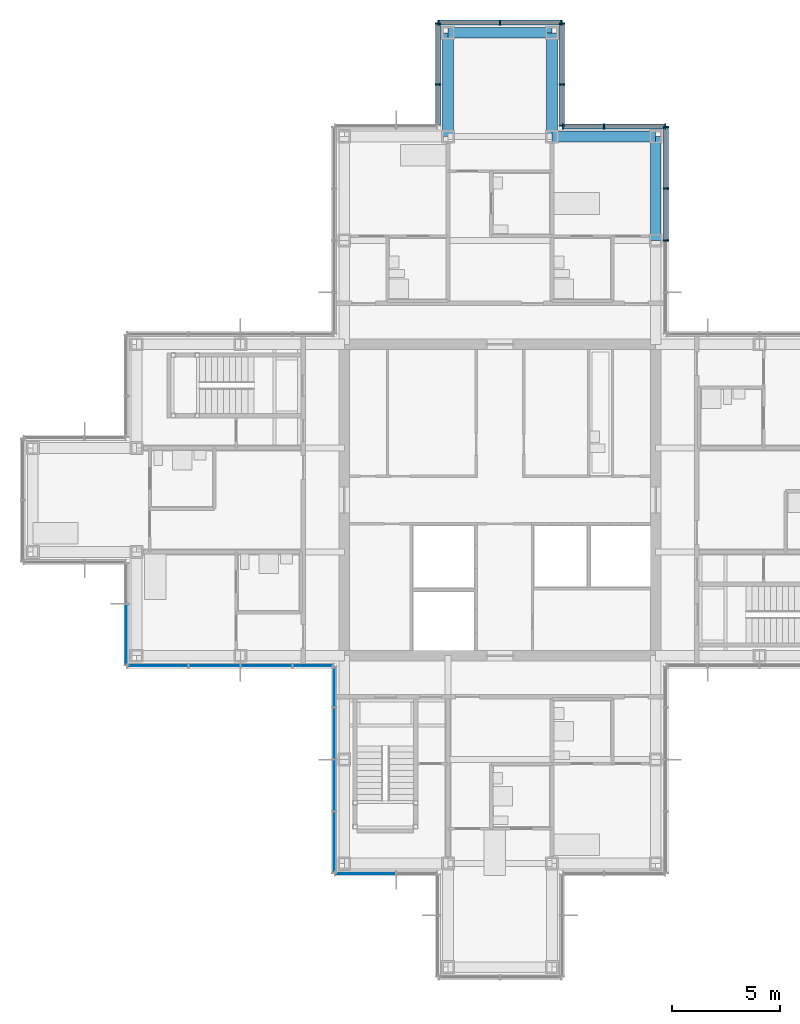
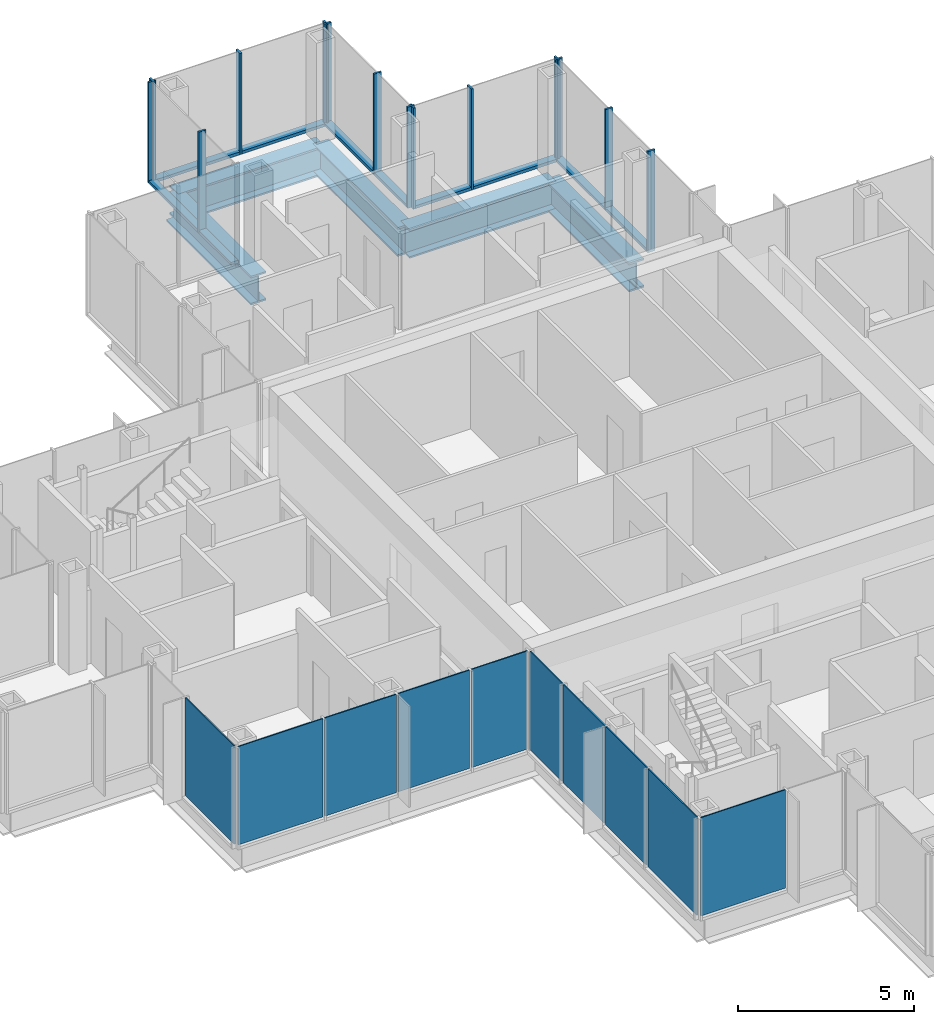
# One storey, part 9 of 17: 24 members, 10 plates, 5 beams, 9 elements without a shape of their own.
"""IFC4 building model written with IfcOpenShell, lengths in metres."""

from ifc_helpers import new_model, si_unit, direction, frame, origin, origin_2d, place, context, subcontext, project, spatial, rectangle, i_section, extrude, material, layer, layer_set, material_profile, profile_set, type_object, element, aggregate, save


model = new_model("IFC4")

# Units and contexts
model_context = context("Model", 3, precision=1e-05, world=origin(), true_north=direction((0.0, 1.0)))
body_context = subcontext(model_context, "Body", "Model", "MODEL_VIEW")
ifc_project = project(units=[si_unit("LENGTHUNIT", "METRE"), si_unit("AREAUNIT", "SQUARE_METRE"), si_unit("VOLUMEUNIT", "CUBIC_METRE"), si_unit("PLANEANGLEUNIT", "RADIAN"), si_unit("MASSUNIT", "GRAM", prefix="KILO")], contexts=[model_context])

# Site, building, storey
site_placement = place(None, origin())
site = spatial("IfcSite", under=ifc_project, at=site_placement, CompositionType="ELEMENT")
building_placement = place(site_placement, origin())
building = spatial("IfcBuilding", under=site, at=building_placement, Name="Kvirike Care Tower", CompositionType="ELEMENT")
storey_placement = place(building_placement, frame((0.0, 0.0, 183.0)))
storey = spatial("IfcBuildingStorey", under=building, at=storey_placement, Name="L50", CompositionType="ELEMENT", Elevation=183.0)

# Curtain wall, members
ifc_material_1 = material(Name="Anodised aluminium stick system", Category="aluminium")
curtain_wall_type = type_object("IfcCurtainWallType", Name="CW-C STICK CURTAIN WALL", PredefinedType="NOTDEFINED", material=ifc_material_1)
curtain_wall_1_placement = place(storey_placement, origin())
curtain_wall_1 = element("IfcCurtainWall", 1, at=curtain_wall_1_placement, inside=storey, type_object=curtain_wall_type, Name="Curtain wall L50 face 8", PredefinedType="NOTDEFINED")
ifc_material_2 = material(Name="Bronze anodised aluminium mullion", Category="aluminium")
ifc_material_profile_1 = material_profile(ifc_material_2, rectangle(XDim=0.06494140625, YDim=0.239990234375, at=origin_2d()), Name="CW-C MULLION 65x240")
ifc_profile_set_1 = profile_set([ifc_material_profile_1], Name="Bronze anodised aluminium mullion")
member_type_1 = type_object("IfcMemberType", Name="CW-C MULLION 65x240", PredefinedType="MULLION", material=ifc_profile_set_1)
member_1_placement = place(storey_placement, frame((29.27001953125, 48.0, 0.0), z_axis=(0.0, 0.0, 1.0), x_axis=(0.0, 1.0, 0.0)))
member_1 = element("IfcMember", 2, at=member_1_placement, type_object=member_type_1, Name="CW-C mullion L50 face 8.3", PredefinedType="MULLION", context=body_context, shape_type="SweptSolid", body=[
    extrude(rectangle(XDim=0.06494140625, YDim=0.239990234375, at=origin_2d()), origin(), (0.0, 0.0, 1.0), 3.5),
])
member_2_placement = place(storey_placement, frame((29.27001953125, 50.39990234375, 0.0), z_axis=(0.0, 0.0, 1.0), x_axis=(0.0, 1.0, 0.0)))
member_2 = element("IfcMember", 3, at=member_2_placement, type_object=member_type_1, Name="CW-C mullion L50 face 8.4", PredefinedType="MULLION", context=body_context, shape_type="SweptSolid", body=[
    extrude(rectangle(XDim=0.06494140625, YDim=0.239990234375, at=origin_2d()), origin(), (0.0, 0.0, 1.0), 3.5),
])
member_3_placement = place(storey_placement, frame((29.27001953125, 53.237548828125, 0.0), z_axis=(0.0, 0.0, 1.0), x_axis=(0.0, 1.0, 0.0)))
member_3 = element("IfcMember", 4, at=member_3_placement, type_object=member_type_1, Name="CW-C mullion L50 face 8.5", PredefinedType="MULLION", context=body_context, shape_type="SweptSolid", body=[
    extrude(rectangle(XDim=0.06494140625, YDim=0.239990234375, at=origin_2d()), origin(), (0.0, 0.0, 1.0), 3.5),
])

curtain_wall_2_placement = place(storey_placement, origin())
curtain_wall_2 = element("IfcCurtainWall", 5, at=curtain_wall_2_placement, inside=storey, type_object=curtain_wall_type, Name="Curtain wall L50 face 9", PredefinedType="NOTDEFINED")
member_4_placement = place(storey_placement, frame((29.237548828125, 53.27001953125, 0.0), z_axis=(0.0, 0.0, 1.0), x_axis=(-1.0, 0.0, 0.0)))
member_4 = element("IfcMember", 6, at=member_4_placement, type_object=member_type_1, Name="CW-C mullion L50 face 9.1", PredefinedType="MULLION", context=body_context, shape_type="SweptSolid", body=[
    extrude(rectangle(XDim=0.06494140625, YDim=0.239990234375, at=origin_2d()), origin(), (0.0, 0.0, 1.0), 3.5),
])
member_5_placement = place(storey_placement, frame((26.39990234375, 53.27001953125, 0.0), z_axis=(0.0, 0.0, 1.0), x_axis=(-1.0, 0.0, 0.0)))
member_5 = element("IfcMember", 7, at=member_5_placement, type_object=member_type_1, Name="CW-C mullion L50 face 9.2", PredefinedType="MULLION", context=body_context, shape_type="SweptSolid", body=[
    extrude(rectangle(XDim=0.06494140625, YDim=0.239990234375, at=origin_2d()), origin(), (0.0, 0.0, 1.0), 3.5),
])
member_6_placement = place(storey_placement, frame((24.50244140625, 53.27001953125, 0.0), z_axis=(0.0, 0.0, 1.0), x_axis=(-1.0, 0.0, 0.0)))
member_6 = element("IfcMember", 8, at=member_6_placement, type_object=member_type_1, Name="CW-C mullion L50 face 9.3", PredefinedType="MULLION", context=body_context, shape_type="SweptSolid", body=[
    extrude(rectangle(XDim=0.06494140625, YDim=0.239990234375, at=origin_2d()), origin(), (0.0, 0.0, 1.0), 3.5),
])

curtain_wall_3_placement = place(storey_placement, origin())
curtain_wall_3 = element("IfcCurtainWall", 9, at=curtain_wall_3_placement, inside=storey, type_object=curtain_wall_type, Name="Curtain wall L50 face 10", PredefinedType="NOTDEFINED")
member_7_placement = place(storey_placement, frame((24.469970703125, 53.302490234375, 0.0), z_axis=(0.0, 0.0, 1.0), x_axis=(0.0, 1.0, 0.0)))
member_7 = element("IfcMember", 10, at=member_7_placement, type_object=member_type_1, Name="CW-C mullion L50 face 10.1", PredefinedType="MULLION", context=body_context, shape_type="SweptSolid", body=[
    extrude(rectangle(XDim=0.06494140625, YDim=0.239990234375, at=origin_2d()), origin(), (0.0, 0.0, 1.0), 3.5),
])
member_8_placement = place(storey_placement, frame((24.469970703125, 55.199951171875, 0.0), z_axis=(0.0, 0.0, 1.0), x_axis=(0.0, 1.0, 0.0)))
member_8 = element("IfcMember", 11, at=member_8_placement, type_object=member_type_1, Name="CW-C mullion L50 face 10.2", PredefinedType="MULLION", context=body_context, shape_type="SweptSolid", body=[
    extrude(rectangle(XDim=0.06494140625, YDim=0.239990234375, at=origin_2d()), origin(), (0.0, 0.0, 1.0), 3.5),
])
member_9_placement = place(storey_placement, frame((24.469970703125, 58.03759765625, 0.0), z_axis=(0.0, 0.0, 1.0), x_axis=(0.0, 1.0, 0.0)))
member_9 = element("IfcMember", 12, at=member_9_placement, type_object=member_type_1, Name="CW-C mullion L50 face 10.3", PredefinedType="MULLION", context=body_context, shape_type="SweptSolid", body=[
    extrude(rectangle(XDim=0.06494140625, YDim=0.239990234375, at=origin_2d()), origin(), (0.0, 0.0, 1.0), 3.5),
])

curtain_wall_4_placement = place(storey_placement, origin())
curtain_wall_4 = element("IfcCurtainWall", 13, at=curtain_wall_4_placement, inside=storey, type_object=curtain_wall_type, Name="Curtain wall L50 face 11", PredefinedType="NOTDEFINED")
member_10_placement = place(storey_placement, frame((24.4375, 58.070068359375, 0.0), z_axis=(0.0, 0.0, 1.0), x_axis=(-1.0, 0.0, 0.0)))
member_10 = element("IfcMember", 14, at=member_10_placement, type_object=member_type_1, Name="CW-C mullion L50 face 11.1", PredefinedType="MULLION", context=body_context, shape_type="SweptSolid", body=[
    extrude(rectangle(XDim=0.06494140625, YDim=0.239990234375, at=origin_2d()), origin(), (0.0, 0.0, 1.0), 3.5),
])
member_11_placement = place(storey_placement, frame((21.60009765625, 58.070068359375, 0.0), z_axis=(0.0, 0.0, 1.0), x_axis=(-1.0, 0.0, 0.0)))
member_11 = element("IfcMember", 15, at=member_11_placement, type_object=member_type_1, Name="CW-C mullion L50 face 11.2", PredefinedType="MULLION", context=body_context, shape_type="SweptSolid", body=[
    extrude(rectangle(XDim=0.06494140625, YDim=0.239990234375, at=origin_2d()), origin(), (0.0, 0.0, 1.0), 3.5),
])
member_12_placement = place(storey_placement, frame((18.762451171875, 58.070068359375, 0.0), z_axis=(0.0, 0.0, 1.0), x_axis=(-1.0, 0.0, 0.0)))
member_12 = element("IfcMember", 16, at=member_12_placement, type_object=member_type_1, Name="CW-C mullion L50 face 11.3", PredefinedType="MULLION", context=body_context, shape_type="SweptSolid", body=[
    extrude(rectangle(XDim=0.06494140625, YDim=0.239990234375, at=origin_2d()), origin(), (0.0, 0.0, 1.0), 3.5),
])

curtain_wall_5_placement = place(storey_placement, origin())
curtain_wall_5 = element("IfcCurtainWall", 17, at=curtain_wall_5_placement, inside=storey, type_object=curtain_wall_type, Name="Curtain wall L50 face 12", PredefinedType="NOTDEFINED")
member_13_placement = place(storey_placement, frame((18.72998046875, 58.03759765625, 0.0), z_axis=(0.0, 0.0, 1.0), x_axis=(0.0, -1.0, 0.0)))
member_13 = element("IfcMember", 18, at=member_13_placement, type_object=member_type_1, Name="CW-C mullion L50 face 12.1", PredefinedType="MULLION", context=body_context, shape_type="SweptSolid", body=[
    extrude(rectangle(XDim=0.06494140625, YDim=0.239990234375, at=origin_2d()), origin(), (0.0, 0.0, 1.0), 3.5),
])
member_14_placement = place(storey_placement, frame((18.72998046875, 55.199951171875, 0.0), z_axis=(0.0, 0.0, 1.0), x_axis=(0.0, -1.0, 0.0)))
member_14 = element("IfcMember", 19, at=member_14_placement, type_object=member_type_1, Name="CW-C mullion L50 face 12.2", PredefinedType="MULLION", context=body_context, shape_type="SweptSolid", body=[
    extrude(rectangle(XDim=0.06494140625, YDim=0.239990234375, at=origin_2d()), origin(), (0.0, 0.0, 1.0), 3.5),
])

# Member
ifc_material_3 = material(Name="Bronze anodised aluminium transom", Category="aluminium")
ifc_material_profile_2 = material_profile(ifc_material_3, rectangle(XDim=0.239990234375, YDim=0.10009765625, at=origin_2d()), Name="CW-C TRANSOM 240x100")
ifc_profile_set_2 = profile_set([ifc_material_profile_2], Name="Bronze anodised aluminium transom")
member_type_2 = type_object("IfcMemberType", Name="CW-C TRANSOM 240x100", PredefinedType="USERDEFINED", material=ifc_profile_set_2)
member_15_placement = place(storey_placement, frame((29.27001953125, 48.032470703125, 0.050048828125), z_axis=(0.0, 1.0, 0.0), x_axis=(-1.0, 0.0, 0.0)))
member_15 = element("IfcMember", 20, at=member_15_placement, type_object=member_type_2, Name="CW-C sill transom L50 face 8.3", ObjectType="TRANSOM", PredefinedType="USERDEFINED", context=body_context, shape_type="SweptSolid", body=[
    extrude(rectangle(XDim=0.239990234375, YDim=0.10009765625, at=origin_2d()), origin(), (0.0, 0.0, 1.0), 2.3349609375),
])

member_16_placement = place(storey_placement, frame((29.27001953125, 50.4326171875, 0.050048828125), z_axis=(0.0, 1.0, 0.0), x_axis=(-1.0, 0.0, 0.0)))
member_16 = element("IfcMember", 21, at=member_16_placement, type_object=member_type_2, Name="CW-C sill transom L50 face 8.4", ObjectType="TRANSOM", PredefinedType="USERDEFINED", context=body_context, shape_type="SweptSolid", body=[
    extrude(rectangle(XDim=0.239990234375, YDim=0.10009765625, at=origin_2d()), origin(), (0.0, 0.0, 1.0), 2.7724609375),
])

aggregate(curtain_wall_1, [member_1, member_2, member_3, member_15, member_16])

member_17_placement = place(storey_placement, frame((29.205078125, 53.27001953125, 0.050048828125), z_axis=(-1.0, 0.0, 0.0), x_axis=(0.0, -1.0, 0.0)))
member_17 = element("IfcMember", 22, at=member_17_placement, type_object=member_type_2, Name="CW-C sill transom L50 face 9.1", ObjectType="TRANSOM", PredefinedType="USERDEFINED", context=body_context, shape_type="SweptSolid", body=[
    extrude(rectangle(XDim=0.239990234375, YDim=0.10009765625, at=origin_2d()), origin(), (0.0, 0.0, 1.0), 2.7724609375),
])

member_18_placement = place(storey_placement, frame((26.367431640625, 53.27001953125, 0.050048828125), z_axis=(-1.0, 0.0, 0.0), x_axis=(0.0, -1.0, 0.0)))
member_18 = element("IfcMember", 23, at=member_18_placement, type_object=member_type_2, Name="CW-C sill transom L50 face 9.2", ObjectType="TRANSOM", PredefinedType="USERDEFINED", context=body_context, shape_type="SweptSolid", body=[
    extrude(rectangle(XDim=0.239990234375, YDim=0.10009765625, at=origin_2d()), origin(), (0.0, 0.0, 1.0), 1.83251953125),
])

aggregate(curtain_wall_2, [member_4, member_5, member_6, member_17, member_18])

member_19_placement = place(storey_placement, frame((24.469970703125, 53.3349609375, 0.050048828125), z_axis=(0.0, 1.0, 0.0), x_axis=(-1.0, 0.0, 0.0)))
member_19 = element("IfcMember", 24, at=member_19_placement, type_object=member_type_2, Name="CW-C sill transom L50 face 10.1", ObjectType="TRANSOM", PredefinedType="USERDEFINED", context=body_context, shape_type="SweptSolid", body=[
    extrude(rectangle(XDim=0.239990234375, YDim=0.10009765625, at=origin_2d()), origin(), (0.0, 0.0, 1.0), 1.83251953125),
])

member_20_placement = place(storey_placement, frame((24.469970703125, 55.232421875, 0.050048828125), z_axis=(0.0, 1.0, 0.0), x_axis=(-1.0, 0.0, 0.0)))
member_20 = element("IfcMember", 25, at=member_20_placement, type_object=member_type_2, Name="CW-C sill transom L50 face 10.2", ObjectType="TRANSOM", PredefinedType="USERDEFINED", context=body_context, shape_type="SweptSolid", body=[
    extrude(rectangle(XDim=0.239990234375, YDim=0.10009765625, at=origin_2d()), origin(), (0.0, 0.0, 1.0), 2.7724609375),
])

aggregate(curtain_wall_3, [member_7, member_8, member_9, member_19, member_20])

member_21_placement = place(storey_placement, frame((24.405029296875, 58.070068359375, 0.050048828125), z_axis=(-1.0, 0.0, 0.0), x_axis=(0.0, -1.0, 0.0)))
member_21 = element("IfcMember", 26, at=member_21_placement, type_object=member_type_2, Name="CW-C sill transom L50 face 11.1", ObjectType="TRANSOM", PredefinedType="USERDEFINED", context=body_context, shape_type="SweptSolid", body=[
    extrude(rectangle(XDim=0.239990234375, YDim=0.10009765625, at=origin_2d()), origin(), (0.0, 0.0, 1.0), 2.7724609375),
])

member_22_placement = place(storey_placement, frame((21.5673828125, 58.070068359375, 0.050048828125), z_axis=(-1.0, 0.0, 0.0), x_axis=(0.0, -1.0, 0.0)))
member_22 = element("IfcMember", 27, at=member_22_placement, type_object=member_type_2, Name="CW-C sill transom L50 face 11.2", ObjectType="TRANSOM", PredefinedType="USERDEFINED", context=body_context, shape_type="SweptSolid", body=[
    extrude(rectangle(XDim=0.239990234375, YDim=0.10009765625, at=origin_2d()), origin(), (0.0, 0.0, 1.0), 2.7724609375),
])

aggregate(curtain_wall_4, [member_10, member_11, member_12, member_21, member_22])

member_23_placement = place(storey_placement, frame((18.72998046875, 58.0048828125, 0.050048828125), z_axis=(0.0, -1.0, 0.0), x_axis=(1.0, 0.0, 0.0)))
member_23 = element("IfcMember", 28, at=member_23_placement, type_object=member_type_2, Name="CW-C sill transom L50 face 12.1", ObjectType="TRANSOM", PredefinedType="USERDEFINED", context=body_context, shape_type="SweptSolid", body=[
    extrude(rectangle(XDim=0.239990234375, YDim=0.10009765625, at=origin_2d()), origin(), (0.0, 0.0, 1.0), 2.7724609375),
])

member_24_placement = place(storey_placement, frame((18.72998046875, 55.16748046875, 0.050048828125), z_axis=(0.0, -1.0, 0.0), x_axis=(1.0, 0.0, 0.0)))
member_24 = element("IfcMember", 29, at=member_24_placement, type_object=member_type_2, Name="CW-C sill transom L50 face 12.2", ObjectType="TRANSOM", PredefinedType="USERDEFINED", context=body_context, shape_type="SweptSolid", body=[
    extrude(rectangle(XDim=0.239990234375, YDim=0.10009765625, at=origin_2d()), origin(), (0.0, 0.0, 1.0), 1.83251953125),
])

aggregate(curtain_wall_5, [member_13, member_14, member_23, member_24])

# Beams
ifc_material_4 = material(Name="Steel S355", Category="steel")
ifc_material_profile_3 = material_profile(ifc_material_4, i_section(OverallWidth=0.5, OverallDepth=1.0, WebThickness=0.030029296875, FlangeThickness=0.06005859375, at=origin_2d()), Name="PG 1000x500x30x60")
ifc_profile_set_3 = profile_set([ifc_material_profile_3], Name="Steel S355")
beam_type = type_object("IfcBeamType", Name="SPANDREL PG 1000x500x30x60", PredefinedType="SPANDREL", material=ifc_profile_set_3)
for number, where, z_axis, x_axis, name in (
    (30, (24.0, 52.800048828125, -0.669921875), (1.0, 0.0, 0.0), (0.0, 1.0, 0.0), "Spandrel M8-M9 L50"),
    (31, (19.199951171875, 57.60009765625, -0.669921875), (1.0, 0.0, 0.0), (0.0, 1.0, 0.0), "Spandrel N7-N8 L50"),
    (32, (19.199951171875, 52.800048828125, -0.669921875), (0.0, 1.0, 0.0), (-1.0, 0.0, 0.0), "Spandrel M7-N7 L50"),
    (33, (24.0, 52.800048828125, -0.669921875), (0.0, 1.0, 0.0), (-1.0, 0.0, 0.0), "Spandrel M8-N8 L50"),
    (34, (28.800048828125, 48.0, -0.669921875), (0.0, 1.0, 0.0), (-1.0, 0.0, 0.0), "Spandrel L9-M9 L50"),
):
    element("IfcBeam", number, at=place(storey_placement, frame(where, z_axis=z_axis, x_axis=x_axis)), inside=storey, type_object=beam_type, Name=name, PredefinedType="SPANDREL", context=body_context, shape_type="SweptSolid", body=[
        extrude(i_section(OverallWidth=0.5, OverallDepth=1.0, WebThickness=0.030029296875, FlangeThickness=0.06005859375, at=origin_2d()), origin(), (0.0, 0.0, 1.0), 4.800048828125),
    ])

# Curtain wall, plate
curtain_wall_6_placement = place(storey_placement, origin())
curtain_wall_6 = element("IfcCurtainWall", 35, at=curtain_wall_6_placement, inside=storey, type_object=curtain_wall_type, Name="Curtain wall L50 face 20", PredefinedType="NOTDEFINED")
ifc_material_5 = material(Name="Tinted double glazed unit", Category="glass")
ifc_layer = layer(ifc_material_5, 0.0400390625)
ifc_layer_set = layer_set([ifc_layer], Name="TINTED VISION PANEL 40")
plate_type = type_object("IfcPlateType", Name="TINTED VISION PANEL 40", PredefinedType="CURTAIN_PANEL", material=ifc_layer_set)
plate_1_placement = place(storey_placement, frame((4.330078125, 29.78125, 0.10009765625), z_axis=(0.0, 0.0, 1.0), x_axis=(0.0, -1.0, 0.0)))
plate_1 = element("IfcPlate", 36, at=plate_1_placement, type_object=plate_type, Name="CW-C panel L50 face 20.2", PredefinedType="CURTAIN_PANEL", context=body_context, shape_type="SweptSolid", body=[
    extrude(rectangle(XDim=2.7724609375, YDim=0.0400390625, at=origin_2d()), origin(), (0.0, 0.0, 1.0), 3.39990234375),
])
aggregate(curtain_wall_6, [plate_1])

# Curtain wall, plates
curtain_wall_7_placement = place(storey_placement, origin())
curtain_wall_7 = element("IfcCurtainWall", 37, at=curtain_wall_7_placement, inside=storey, type_object=curtain_wall_type, Name="Curtain wall L50 face 21", PredefinedType="NOTDEFINED")
plate_2_placement = place(storey_placement, frame((5.78125, 28.330078125, 0.10009765625), z_axis=(0.0, 0.0, 1.0), x_axis=(1.0, 0.0, 0.0)))
plate_2 = element("IfcPlate", 38, at=plate_2_placement, type_object=plate_type, Name="CW-C panel L50 face 21.1", PredefinedType="CURTAIN_PANEL", context=body_context, shape_type="SweptSolid", body=[
    extrude(rectangle(XDim=2.7724609375, YDim=0.0400390625, at=origin_2d()), origin(), (0.0, 0.0, 1.0), 3.39990234375),
])
plate_3_placement = place(storey_placement, frame((8.39990234375, 28.330078125, 0.10009765625), z_axis=(0.0, 0.0, 1.0), x_axis=(1.0, 0.0, 0.0)))
plate_3 = element("IfcPlate", 39, at=plate_3_placement, type_object=plate_type, Name="CW-C panel L50 face 21.2", PredefinedType="CURTAIN_PANEL", context=body_context, shape_type="SweptSolid", body=[
    extrude(rectangle(XDim=2.3349609375, YDim=0.0400390625, at=origin_2d()), origin(), (0.0, 0.0, 1.0), 3.39990234375),
])
plate_4_placement = place(storey_placement, frame((10.800048828125, 28.330078125, 0.10009765625), z_axis=(0.0, 0.0, 1.0), x_axis=(1.0, 0.0, 0.0)))
plate_4 = element("IfcPlate", 40, at=plate_4_placement, type_object=plate_type, Name="CW-C panel L50 face 21.3", PredefinedType="CURTAIN_PANEL", context=body_context, shape_type="SweptSolid", body=[
    extrude(rectangle(XDim=2.3349609375, YDim=0.0400390625, at=origin_2d()), origin(), (0.0, 0.0, 1.0), 3.39990234375),
])
plate_5_placement = place(storey_placement, frame((12.94873046875, 28.330078125, 0.10009765625), z_axis=(0.0, 0.0, 1.0), x_axis=(1.0, 0.0, 0.0)))
plate_5 = element("IfcPlate", 41, at=plate_5_placement, type_object=plate_type, Name="CW-C panel L50 face 21.4", PredefinedType="CURTAIN_PANEL", context=body_context, shape_type="SweptSolid", body=[
    extrude(rectangle(XDim=1.83251953125, YDim=0.0400390625, at=origin_2d()), origin(), (0.0, 0.0, 1.0), 3.39990234375),
])
aggregate(curtain_wall_7, [plate_2, plate_3, plate_4, plate_5])

curtain_wall_8_placement = place(storey_placement, origin())
curtain_wall_8 = element("IfcCurtainWall", 42, at=curtain_wall_8_placement, inside=storey, type_object=curtain_wall_type, Name="Curtain wall L50 face 22", PredefinedType="NOTDEFINED")
plate_6_placement = place(storey_placement, frame((13.929931640625, 27.3486328125, 0.10009765625), z_axis=(0.0, 0.0, 1.0), x_axis=(0.0, -1.0, 0.0)))
plate_6 = element("IfcPlate", 43, at=plate_6_placement, type_object=plate_type, Name="CW-C panel L50 face 22.1", PredefinedType="CURTAIN_PANEL", context=body_context, shape_type="SweptSolid", body=[
    extrude(rectangle(XDim=1.83251953125, YDim=0.0400390625, at=origin_2d()), origin(), (0.0, 0.0, 1.0), 3.39990234375),
])
plate_7_placement = place(storey_placement, frame((13.929931640625, 25.199951171875, 0.10009765625), z_axis=(0.0, 0.0, 1.0), x_axis=(0.0, -1.0, 0.0)))
plate_7 = element("IfcPlate", 44, at=plate_7_placement, type_object=plate_type, Name="CW-C panel L50 face 22.2", PredefinedType="CURTAIN_PANEL", context=body_context, shape_type="SweptSolid", body=[
    extrude(rectangle(XDim=2.3349609375, YDim=0.0400390625, at=origin_2d()), origin(), (0.0, 0.0, 1.0), 3.39990234375),
])
plate_8_placement = place(storey_placement, frame((13.929931640625, 22.800048828125, 0.10009765625), z_axis=(0.0, 0.0, 1.0), x_axis=(0.0, -1.0, 0.0)))
plate_8 = element("IfcPlate", 45, at=plate_8_placement, type_object=plate_type, Name="CW-C panel L50 face 22.3", PredefinedType="CURTAIN_PANEL", context=body_context, shape_type="SweptSolid", body=[
    extrude(rectangle(XDim=2.3349609375, YDim=0.0400390625, at=origin_2d()), origin(), (0.0, 0.0, 1.0), 3.39990234375),
])
plate_9_placement = place(storey_placement, frame((13.929931640625, 20.18115234375, 0.10009765625), z_axis=(0.0, 0.0, 1.0), x_axis=(0.0, -1.0, 0.0)))
plate_9 = element("IfcPlate", 46, at=plate_9_placement, type_object=plate_type, Name="CW-C panel L50 face 22.4", PredefinedType="CURTAIN_PANEL", context=body_context, shape_type="SweptSolid", body=[
    extrude(rectangle(XDim=2.7724609375, YDim=0.0400390625, at=origin_2d()), origin(), (0.0, 0.0, 1.0), 3.39990234375),
])
aggregate(curtain_wall_8, [plate_6, plate_7, plate_8, plate_9])

# Curtain wall, plate
curtain_wall_9_placement = place(storey_placement, origin())
curtain_wall_9 = element("IfcCurtainWall", 47, at=curtain_wall_9_placement, inside=storey, type_object=curtain_wall_type, Name="Curtain wall L50 face 23", PredefinedType="NOTDEFINED")
plate_10_placement = place(storey_placement, frame((15.38134765625, 18.72998046875, 0.10009765625), z_axis=(0.0, 0.0, 1.0), x_axis=(1.0, 0.0, 0.0)))
plate_10 = element("IfcPlate", 48, at=plate_10_placement, type_object=plate_type, Name="CW-C panel L50 face 23.1", PredefinedType="CURTAIN_PANEL", context=body_context, shape_type="SweptSolid", body=[
    extrude(rectangle(XDim=2.7724609375, YDim=0.0400390625, at=origin_2d()), origin(), (0.0, 0.0, 1.0), 3.39990234375),
])
aggregate(curtain_wall_9, [plate_10])

save(model, "model.ifc")
